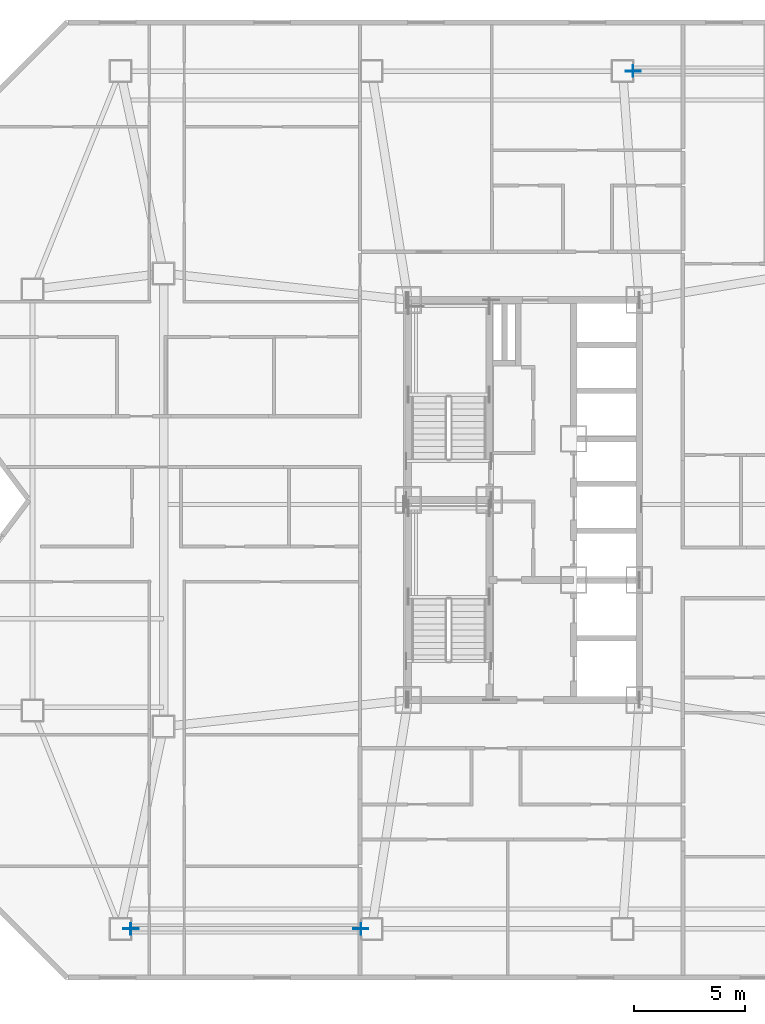
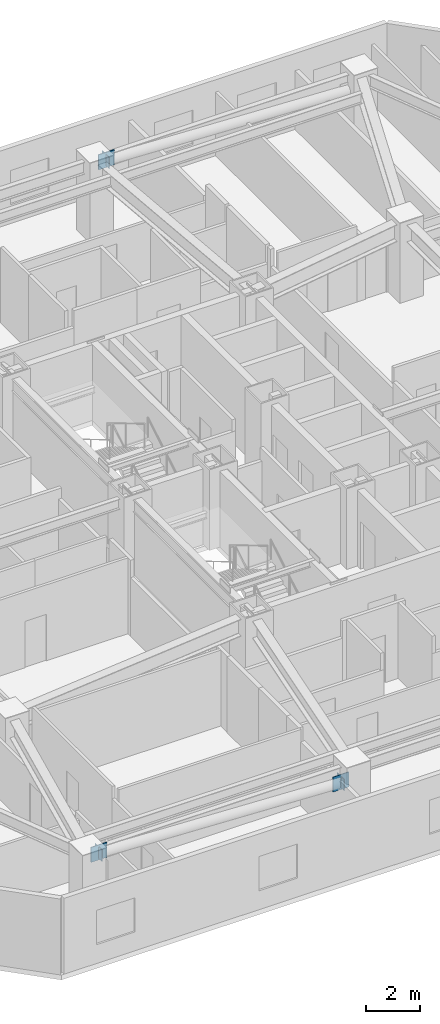
# One storey, part 9 of 17: 6 plates.
"""IFC4 building model written with IfcOpenShell, lengths in metres."""

from ifc_helpers import new_model, si_unit, direction, frame, origin, origin_2d, place, context, subcontext, project, spatial, rectangle, extrude, material, layer, layer_set, type_object, element, save


model = new_model("IFC4")

# Units and contexts
model_context = context("Model", 3, precision=1e-05, world=origin(), true_north=direction((0.0, 1.0)))
body_context = subcontext(model_context, "Body", "Model", "MODEL_VIEW")
ifc_project = project(units=[si_unit("LENGTHUNIT", "METRE"), si_unit("AREAUNIT", "SQUARE_METRE"), si_unit("VOLUMEUNIT", "CUBIC_METRE"), si_unit("PLANEANGLEUNIT", "RADIAN"), si_unit("MASSUNIT", "GRAM", prefix="KILO")], contexts=[model_context])

# Site, building, storey
site_placement = place(None, origin())
site = spatial("IfcSite", under=ifc_project, at=site_placement, CompositionType="ELEMENT")
building_placement = place(site_placement, origin())
building = spatial("IfcBuilding", under=site, at=building_placement, Name="Khamvora Tower", CompositionType="ELEMENT")
storey_placement = place(building_placement, frame((0.0, 0.0, 131.10009765625)))
storey = spatial("IfcBuildingStorey", under=building, at=storey_placement, Name="L33", CompositionType="ELEMENT", Elevation=131.10009765625)

# Plates
ifc_material_1 = material(Name="Steel S355", Category="steel")
ifc_layer_1 = layer(ifc_material_1, 0.02490234375)
ifc_layer_set_1 = layer_set([ifc_layer_1], Name="Steel S355")
plate_type_1 = type_object("IfcPlateType", Name="PL-CAP-25", PredefinedType="SHEET", material=ifc_layer_set_1)
for number, where, z_axis, x_axis, name in (
    (1, (26.882080078125, 8.699951171875, 2.4404296875), (0.0, 0.0, 1.0), (-1.0, 0.0, 0.0), "L33 hollow section steel end cap plate 0776"),
    (2, (16.51806640625, 8.699951171875, 2.88427734375), (0.0, 0.0, 1.0), (-1.0, 0.0, 0.0), "L33 hollow section steel end cap plate 0777"),
    (3, (39.117919921875, 47.300048828125, 2.88427734375), (0.0, 0.0, 1.0), (-1.0, 0.0, 0.0), "L33 hollow section steel end cap plate 0779"),
):
    element("IfcPlate", number, at=place(storey_placement, frame(where, z_axis=z_axis, x_axis=x_axis)), inside=storey, type_object=plate_type_1, Name=name, PredefinedType="SHEET", context=body_context, shape_type="SweptSolid", body=[
        extrude(rectangle(XDim=0.02490234375, YDim=0.51708984375, at=origin_2d()), origin(), (0.0, 0.0, 1.0), 0.51708984375),
    ])
ifc_material_2 = material(Name="Steel S460", Category="steel")
ifc_layer_2 = layer(ifc_material_2, 0.0400390625)
ifc_layer_set_2 = layer_set([ifc_layer_2], Name="Steel S460")
plate_type_2 = type_object("IfcPlateType", Name="PLT-GUS-40", PredefinedType="SHEET", material=ifc_layer_set_2)
for number, where, z_axis, x_axis, name in (
    (4, (26.8701171875, 8.699951171875, 2.35986328125), (0.0, 0.0, 1.0), (1.0, 0.0, 0.0), "L33 brace connection node gusset plate 0209"),
    (5, (16.530029296875, 8.699951171875, 2.8017578125), (0.0, 0.0, 1.0), (1.0, 0.0, 0.0), "L33 brace connection node gusset plate 0210"),
    (6, (39.1298828125, 47.300048828125, 2.8017578125), (0.0, 0.0, 1.0), (1.0, 0.0, 0.0), "L33 brace connection node gusset plate 0212"),
):
    element("IfcPlate", number, at=place(storey_placement, frame(where, z_axis=z_axis, x_axis=x_axis)), inside=storey, type_object=plate_type_2, Name=name, PredefinedType="SHEET", context=body_context, shape_type="SweptSolid", body=[
        extrude(rectangle(XDim=0.679931640625, YDim=0.0400390625, at=origin_2d()), origin(), (0.0, 0.0, 1.0), 0.679931640625),
    ])

save(model, "model.ifc")
